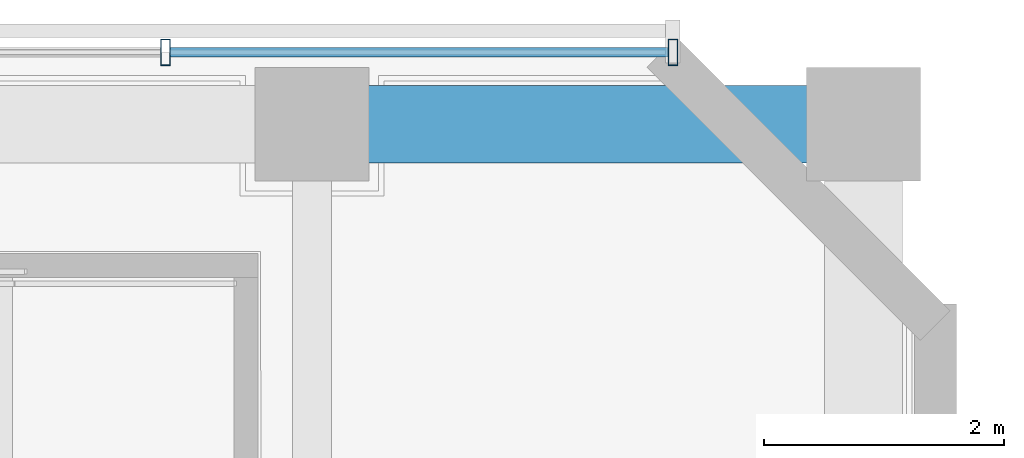
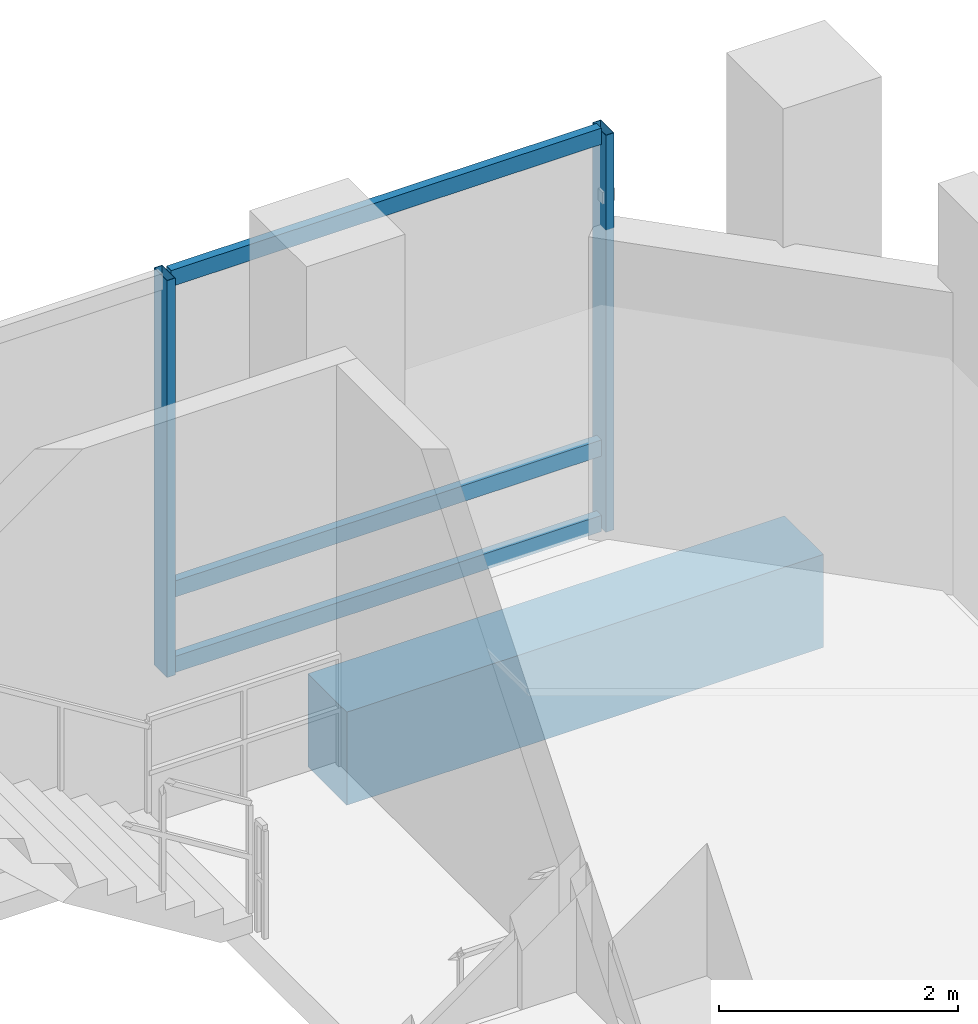
# One storey, part 18 of 36: 5 members, 1 beam, 1 element without a shape of its own.
"""IFC4 building model written with IfcOpenShell, lengths in metres."""

from ifc_helpers import new_model, si_unit, direction, frame, origin, origin_2d, place, context, subcontext, project, spatial, rectangle, hollow_rectangle, extrude, source, transform, mapped, material, material_profile, profile_set, type_object, element, aggregate, save


model = new_model("IFC4")

# Units and contexts
model_context = context("Model", 3, precision=1e-05, world=origin(), true_north=direction((-0.2419218956, 0.970295726276)))
body_context = subcontext(model_context, "Body", "Model", "MODEL_VIEW")
ifc_project = project(units=[si_unit("LENGTHUNIT", "METRE"), si_unit("AREAUNIT", "SQUARE_METRE"), si_unit("VOLUMEUNIT", "CUBIC_METRE"), si_unit("PLANEANGLEUNIT", "RADIAN"), si_unit("MASSUNIT", "GRAM", prefix="KILO")], contexts=[model_context])

# Site, building, storey
site_placement = place(None, origin())
site = spatial("IfcSite", under=ifc_project, at=site_placement, CompositionType="ELEMENT")
building_placement = place(site_placement, origin())
building = spatial("IfcBuilding", under=site, at=building_placement, Name="Cobrevalo Terracotta Tower", CompositionType="ELEMENT")
storey_placement = place(building_placement, frame((0.0, 0.0, 14.39990234375)))
storey = spatial("IfcBuildingStorey", under=building, at=storey_placement, Name="L03", CompositionType="ELEMENT", Elevation=14.39990234375)

# Beam
ifc_material_1 = material(Name="Concrete C50", Category="concrete")
ifc_material_profile_1 = material_profile(ifc_material_1, rectangle(XDim=0.64990234375, YDim=0.949951171875, at=origin_2d()), Name="RC BM 650x950")
ifc_profile_set_1 = profile_set([ifc_material_profile_1], Name="Concrete C50")
beam_type = type_object("IfcBeamType", Name="Structural Spandrel RC BM 650x950 (Concrete C50)", PredefinedType="SPANDREL", material=ifc_profile_set_1)
beam_placement = place(storey_placement, frame((67.0, 50.800048828125, -0.77490234375), z_axis=(1.0, 0.0, 0.0), x_axis=(0.0, 1.0, 0.0)))
element("IfcBeam", 1, at=beam_placement, inside=storey, type_object=beam_type, Name="L03 podium grid beam G8-GG to G9-GG", PredefinedType="SPANDREL", context=body_context, shape_type="SweptSolid", body=[
    extrude(rectangle(XDim=0.64990234375, YDim=0.949951171875, at=origin_2d()), origin(), (0.0, 0.0, 1.0), 4.60009765625),
])

# Curtain wall, members
ifc_material_2 = material(Name="Anodized aluminium", Category="aluminium")
curtain_wall_type = type_object("IfcCurtainWallType", Name="Podium gallery & conservatory curtain wall CW-S2", PredefinedType="NOTDEFINED", material=ifc_material_2)
curtain_wall_placement = place(storey_placement, origin())
curtain_wall = element("IfcCurtainWall", 2, at=curtain_wall_placement, inside=storey, type_object=curtain_wall_type, Name="L03 curtain wall CW-POD-L03-N", PredefinedType="NOTDEFINED")
ifc_material_profile_2 = material_profile(ifc_material_2, hollow_rectangle(XDim=0.080078125, YDim=0.1650390625, WallThickness=0.00439453125, at=origin_2d()), Name="CWT 80x165")
ifc_profile_set_2 = profile_set([ifc_material_profile_2], Name="Anodized aluminium")
member_type_1 = type_object("IfcMemberType", Name="Storefront & atrium aluminium transom 80x165", PredefinedType="USERDEFINED", material=ifc_profile_set_2)
shared_shape_1 = source(origin(), body_context, "Body", "SweptSolid", [
    extrude(hollow_rectangle(XDim=0.080078125, YDim=0.1650390625, WallThickness=0.00439453125, at=origin_2d()), origin(), (0.0, 0.0, 1.0), 4.1533203125),
])
member_1_placement = place(storey_placement, frame((69.969970703125, 51.39990234375, 0.050048828125), z_axis=(-1.0, 0.0, 0.0), x_axis=(0.0, -1.0, 0.0)))
member_1 = element("IfcMember", 3, at=member_1_placement, type_object=member_type_1, Name="CW-POD-L03-N transom B01-T1", ObjectType="TRANSOM", PredefinedType="USERDEFINED", context=body_context, shape_type="MappedRepresentation", body=[
    mapped(shared_shape_1, transform((0.0, 0.0, 0.0), scale=1.0)),
])
member_2_placement = place(storey_placement, frame((69.969970703125, 51.39990234375, 0.820068359375), z_axis=(-1.0, 0.0, 0.0), x_axis=(0.0, -1.0, 0.0)))
member_2 = element("IfcMember", 4, at=member_2_placement, type_object=member_type_1, Name="CW-POD-L03-N transom B01-T2", ObjectType="TRANSOM", PredefinedType="USERDEFINED", context=body_context, shape_type="MappedRepresentation", body=[
    mapped(shared_shape_1, transform((0.0, 0.0, 0.0), scale=1.0)),
])
member_3_placement = place(storey_placement, frame((69.969970703125, 51.39990234375, 4.0), z_axis=(-1.0, 0.0, 0.0), x_axis=(0.0, -1.0, 0.0)))
member_3 = element("IfcMember", 5, at=member_3_placement, type_object=member_type_1, Name="CW-POD-L03-N transom B01-T3", ObjectType="TRANSOM", PredefinedType="USERDEFINED", context=body_context, shape_type="MappedRepresentation", body=[
    mapped(shared_shape_1, transform((0.0, 0.0, 0.0), scale=1.0)),
])
ifc_material_profile_3 = material_profile(ifc_material_2, hollow_rectangle(XDim=0.080078125, YDim=0.219970703125, WallThickness=0.0048828125, at=origin_2d()), Name="CWM 80x220")
ifc_profile_set_3 = profile_set([ifc_material_profile_3], Name="Anodized aluminium")
member_type_2 = type_object("IfcMemberType", Name="Storefront & atrium aluminium mullion 80x220", PredefinedType="MULLION", material=ifc_profile_set_3)
shared_shape_2 = source(origin(), body_context, "Body", "SweptSolid", [
    extrude(hollow_rectangle(XDim=0.080078125, YDim=0.219970703125, WallThickness=0.0048828125, at=origin_2d()), origin(), (0.0, 0.0, 1.0), 4.050048828125),
])
member_4_placement = place(storey_placement, frame((70.010009765625, 51.39990234375, 0.0), z_axis=(0.0, 0.0, 1.0), x_axis=(-1.0, 0.0, 0.0)))
member_4 = element("IfcMember", 6, at=member_4_placement, type_object=member_type_2, Name="CW-POD-L03-N vertical mullion 01", PredefinedType="MULLION", context=body_context, shape_type="MappedRepresentation", body=[
    mapped(shared_shape_2, transform((0.0, 0.0, 0.0), scale=1.0)),
])
member_5_placement = place(storey_placement, frame((65.776611328125, 51.39990234375, 0.0), z_axis=(0.0, 0.0, 1.0), x_axis=(-1.0, 0.0, 0.0)))
member_5 = element("IfcMember", 7, at=member_5_placement, type_object=member_type_2, Name="CW-POD-L03-N vertical mullion 02", PredefinedType="MULLION", context=body_context, shape_type="MappedRepresentation", body=[
    mapped(shared_shape_2, transform((0.0, 0.0, 0.0), scale=1.0)),
])
aggregate(curtain_wall, [member_4, member_5, member_1, member_2, member_3])

save(model, "model.ifc")
